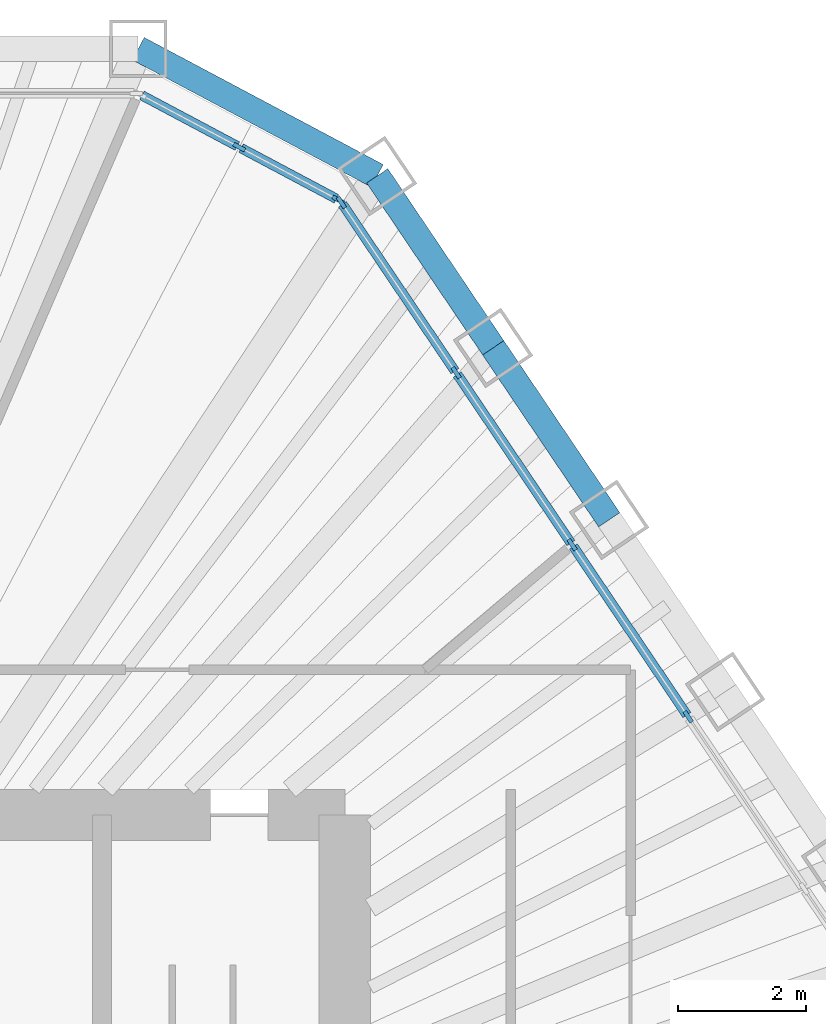
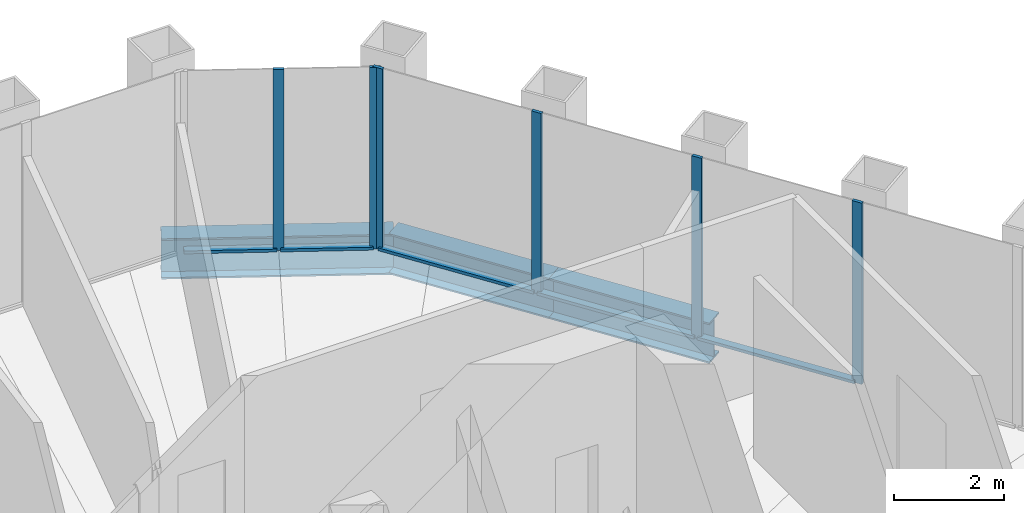
# One storey, part 8 of 15: 11 members, 3 beams, 2 elements without a shape of their own.
"""IFC4 building model written with IfcOpenShell, lengths in metres."""

from ifc_helpers import new_model, si_unit, direction, frame, origin, origin_2d, place, context, subcontext, project, spatial, rectangle, i_section, extrude, material, material_profile, profile_set, type_object, element, aggregate, save


model = new_model("IFC4")

# Units and contexts
model_context = context("Model", 3, precision=1e-05, world=origin(), true_north=direction((0.0, 1.0)))
body_context = subcontext(model_context, "Body", "Model", "MODEL_VIEW")
ifc_project = project(units=[si_unit("LENGTHUNIT", "METRE"), si_unit("AREAUNIT", "SQUARE_METRE"), si_unit("VOLUMEUNIT", "CUBIC_METRE"), si_unit("PLANEANGLEUNIT", "RADIAN"), si_unit("MASSUNIT", "GRAM", prefix="KILO")], contexts=[model_context])

# Site, building, storey
site_placement = place(None, origin())
site = spatial("IfcSite", under=ifc_project, at=site_placement, CompositionType="ELEMENT")
building_placement = place(site_placement, origin())
building = spatial("IfcBuilding", under=site, at=building_placement, Name="Qingtian Harvest Tower", CompositionType="ELEMENT")
storey_placement = place(building_placement, frame((0.0, 0.0, 312.39990234375)))
storey = spatial("IfcBuildingStorey", under=building, at=storey_placement, Name="L69", CompositionType="ELEMENT", Elevation=312.39990234375)

# Curtain wall, members
ifc_material_1 = material(Name="Bronze-anodised aluminium curtain wall", Category="aluminium")
curtain_wall_type = type_object("IfcCurtainWallType", Name="Curtain wall CW5 upper office", PredefinedType="USERDEFINED", material=ifc_material_1)
curtain_wall_1_placement = place(storey_placement, origin())
curtain_wall_1 = element("IfcCurtainWall", 1, at=curtain_wall_1_placement, inside=storey, type_object=curtain_wall_type, Name="Curtain wall CW5 L69 NC", ObjectType="RECESSED CURTAIN WALL", PredefinedType="USERDEFINED")
ifc_material_2 = material(Name="Bronze-anodised aluminium mullion", Category="aluminium")
ifc_material_profile_1 = material_profile(ifc_material_2, rectangle(XDim=0.06494140625, YDim=0.199951171875, at=origin_2d()), Name="AL 65x200")
ifc_profile_set_1 = profile_set([ifc_material_profile_1], Name="Bronze-anodised aluminium mullion")
member_type_1 = type_object("IfcMemberType", Name="Mullion CWM 65x200", PredefinedType="MULLION", material=ifc_profile_set_1)
member_1_placement = place(storey_placement, frame((10.3466796875, 19.45947265625, 0.0), z_axis=(0.0, 0.0, 1.0), x_axis=(0.469471562786, 0.882947592859, 0.0)))
member_1 = element("IfcMember", 2, at=member_1_placement, type_object=member_type_1, Name="CW5 mullion 2", PredefinedType="MULLION", context=body_context, shape_type="SweptSolid", body=[
    extrude(rectangle(XDim=0.06494140625, YDim=0.199951171875, at=origin_2d()), origin(), (0.0, 0.0, 1.0), 4.030029296875),
])
member_2_placement = place(storey_placement, frame((11.89892578125, 18.634033203125, 0.0), z_axis=(0.0, 0.0, 1.0), x_axis=(0.469471562786, 0.882947592859, 0.0)))
member_2 = element("IfcMember", 3, at=member_2_placement, type_object=member_type_1, Name="CW5 mullion 3", PredefinedType="MULLION", context=body_context, shape_type="SweptSolid", body=[
    extrude(rectangle(XDim=0.06494140625, YDim=0.199951171875, at=origin_2d()), origin(), (0.0, 0.0, 1.0), 4.030029296875),
])

curtain_wall_2_placement = place(storey_placement, origin())
curtain_wall_2 = element("IfcCurtainWall", 4, at=curtain_wall_2_placement, inside=storey, type_object=curtain_wall_type, Name="Curtain wall CW5 L69 NE0-5", ObjectType="RECESSED CURTAIN WALL", PredefinedType="USERDEFINED")
member_3_placement = place(storey_placement, frame((11.94580078125, 18.592041015625, 0.0), z_axis=(0.0, 0.0, 1.0), x_axis=(0.829037572555, 0.559192903471, 0.0)))
member_3 = element("IfcMember", 5, at=member_3_placement, type_object=member_type_1, Name="CW5 mullion 1", PredefinedType="MULLION", context=body_context, shape_type="SweptSolid", body=[
    extrude(rectangle(XDim=0.06494140625, YDim=0.199951171875, at=origin_2d()), origin(), (0.0, 0.0, 1.0), 4.030029296875),
])
member_4_placement = place(storey_placement, frame((13.743896484375, 15.926025390625, 0.0), z_axis=(0.0, 0.0, 1.0), x_axis=(0.829037572555, 0.559192903471, 0.0)))
member_4 = element("IfcMember", 6, at=member_4_placement, type_object=member_type_1, Name="CW5 mullion 2", PredefinedType="MULLION", context=body_context, shape_type="SweptSolid", body=[
    extrude(rectangle(XDim=0.06494140625, YDim=0.199951171875, at=origin_2d()), origin(), (0.0, 0.0, 1.0), 4.030029296875),
])
member_5_placement = place(storey_placement, frame((15.56005859375, 13.2333984375, 0.0), z_axis=(0.0, 0.0, 1.0), x_axis=(0.829037572555, 0.559192903471, 0.0)))
member_5 = element("IfcMember", 7, at=member_5_placement, type_object=member_type_1, Name="CW5 mullion 3", PredefinedType="MULLION", context=body_context, shape_type="SweptSolid", body=[
    extrude(rectangle(XDim=0.06494140625, YDim=0.199951171875, at=origin_2d()), origin(), (0.0, 0.0, 1.0), 4.030029296875),
])
member_6_placement = place(storey_placement, frame((17.37646484375, 10.540771484375, 0.0), z_axis=(0.0, 0.0, 1.0), x_axis=(0.829037572555, 0.559192903471, 0.0)))
member_6 = element("IfcMember", 8, at=member_6_placement, type_object=member_type_1, Name="CW5 mullion 4", PredefinedType="MULLION", context=body_context, shape_type="SweptSolid", body=[
    extrude(rectangle(XDim=0.06494140625, YDim=0.199951171875, at=origin_2d()), origin(), (0.0, 0.0, 1.0), 4.030029296875),
])

# Beams
ifc_material_3 = material(Name="Steel SN490B", Category="steel")
ifc_material_profile_2 = material_profile(ifc_material_3, i_section(OverallWidth=0.39990234375, OverallDepth=0.89990234375, WebThickness=0.01904296875, FlangeThickness=0.035888671875, at=origin_2d()), Name="H900x400x19x36")
ifc_profile_set_2 = profile_set([ifc_material_profile_2], Name="Steel SN490B")
beam_type = type_object("IfcBeamType", Name="Spandrel beam SB4 H900x400x19x36", PredefinedType="SPANDREL", material=ifc_profile_set_2)
beam_1_placement = place(storey_placement, frame((8.765869140625, 21.0, -0.449951171875), z_axis=(0.882948599748, -0.469469669099, 0.0), x_axis=(0.469469669099, 0.882948599748, 0.0)))
element("IfcBeam", 9, at=beam_1_placement, inside=storey, type_object=beam_type, Name="Spandrel SB4 NC", PredefinedType="SPANDREL", context=body_context, shape_type="SweptSolid", body=[
    extrude(i_section(OverallWidth=0.39990234375, OverallDepth=0.89990234375, WebThickness=0.01904296875, FlangeThickness=0.035888671875, at=origin_2d()), origin(), (0.0, 0.0, 1.0), 4.23828125),
])
beam_2_placement = place(storey_placement, frame((12.508056640625, 19.01025390625, -0.449951171875), z_axis=(0.559184924833, -0.829042954158, 0.0), x_axis=(0.829042954158, 0.559184924833, 0.0)))
element("IfcBeam", 10, at=beam_2_placement, inside=storey, type_object=beam_type, Name="Spandrel SB4 NE0", PredefinedType="SPANDREL", context=body_context, shape_type="SweptSolid", body=[
    extrude(i_section(OverallWidth=0.39990234375, OverallDepth=0.89990234375, WebThickness=0.01904296875, FlangeThickness=0.035888671875, at=origin_2d()), origin(), (0.0, 0.0, 1.0), 3.247802734375),
])
beam_3_placement = place(storey_placement, frame((14.32421875, 16.317626953125, -0.449951171875), z_axis=(0.559201740147, -0.829031612073, 0.0), x_axis=(0.829031612073, 0.559201740147, 0.0)))
element("IfcBeam", 11, at=beam_3_placement, inside=storey, type_object=beam_type, Name="Spandrel SB4 NE1", PredefinedType="SPANDREL", context=body_context, shape_type="SweptSolid", body=[
    extrude(i_section(OverallWidth=0.39990234375, OverallDepth=0.89990234375, WebThickness=0.01904296875, FlangeThickness=0.035888671875, at=origin_2d()), origin(), (0.0, 0.0, 1.0), 3.248291015625),
])

# Member
ifc_material_4 = material(Name="Bronze-anodised aluminium transom", Category="aluminium")
ifc_material_profile_3 = material_profile(ifc_material_4, rectangle(XDim=0.14990234375, YDim=0.06494140625, at=origin_2d()), Name="AL 65x150")
ifc_profile_set_3 = profile_set([ifc_material_profile_3], Name="Bronze-anodised aluminium transom")
member_type_2 = type_object("IfcMemberType", Name="Transom CWT 65x150", PredefinedType="USERDEFINED", material=ifc_profile_set_3)
member_7_placement = place(storey_placement, frame((8.8232421875, 20.26953125, 0.03271484375), z_axis=(0.882927080927, -0.469510138086, 0.0), x_axis=(0.469510138086, 0.882927080927, 0.0)))
member_7 = element("IfcMember", 12, at=member_7_placement, type_object=member_type_2, Name="CW5 transom 1.1", ObjectType="TRANSOM", PredefinedType="USERDEFINED", context=body_context, shape_type="SweptSolid", body=[
    extrude(rectangle(XDim=0.14990234375, YDim=0.06494140625, at=origin_2d()), origin(), (0.0, 0.0, 1.0), 1.693115234375),
])

member_8_placement = place(storey_placement, frame((10.37548828125, 19.444091796875, 0.03271484375), z_axis=(0.882986854304, -0.469397715297, 0.0), x_axis=(0.469397715297, 0.882986854304, 0.0)))
member_8 = element("IfcMember", 13, at=member_8_placement, type_object=member_type_2, Name="CW5 transom 2.1", ObjectType="TRANSOM", PredefinedType="USERDEFINED", context=body_context, shape_type="SweptSolid", body=[
    extrude(rectangle(XDim=0.14990234375, YDim=0.06494140625, at=origin_2d()), origin(), (0.0, 0.0, 1.0), 1.69287109375),
])

aggregate(curtain_wall_1, [member_1, member_2, member_7, member_8])

member_9_placement = place(storey_placement, frame((11.9638671875, 18.56494140625, 0.03271484375), z_axis=(0.559251907839, -0.828997770551, 0.0), x_axis=(0.828997770551, 0.559251907839, 0.0)))
member_9 = element("IfcMember", 14, at=member_9_placement, type_object=member_type_2, Name="CW5 transom 1.1", ObjectType="TRANSOM", PredefinedType="USERDEFINED", context=body_context, shape_type="SweptSolid", body=[
    extrude(rectangle(XDim=0.14990234375, YDim=0.06494140625, at=origin_2d()), origin(), (0.0, 0.0, 1.0), 3.150634765625),
])

member_10_placement = place(storey_placement, frame((13.761962890625, 15.899169921875, 0.03271484375), z_axis=(0.55920542009, -0.829029129852, 0.0), x_axis=(0.829029129852, 0.55920542009, 0.0)))
member_10 = element("IfcMember", 15, at=member_10_placement, type_object=member_type_2, Name="CW5 transom 2.1", ObjectType="TRANSOM", PredefinedType="USERDEFINED", context=body_context, shape_type="SweptSolid", body=[
    extrude(rectangle(XDim=0.14990234375, YDim=0.06494140625, at=origin_2d()), origin(), (0.0, 0.0, 1.0), 3.18310546875),
])

member_11_placement = place(storey_placement, frame((15.578369140625, 13.20654296875, 0.03271484375), z_axis=(0.55920542009, -0.829029129852, 0.0), x_axis=(0.829029129852, 0.55920542009, 0.0)))
member_11 = element("IfcMember", 16, at=member_11_placement, type_object=member_type_2, Name="CW5 transom 3.1", ObjectType="TRANSOM", PredefinedType="USERDEFINED", context=body_context, shape_type="SweptSolid", body=[
    extrude(rectangle(XDim=0.14990234375, YDim=0.06494140625, at=origin_2d()), origin(), (0.0, 0.0, 1.0), 3.18310546875),
])

aggregate(curtain_wall_2, [member_3, member_4, member_5, member_6, member_9, member_10, member_11])

save(model, "model.ifc")
